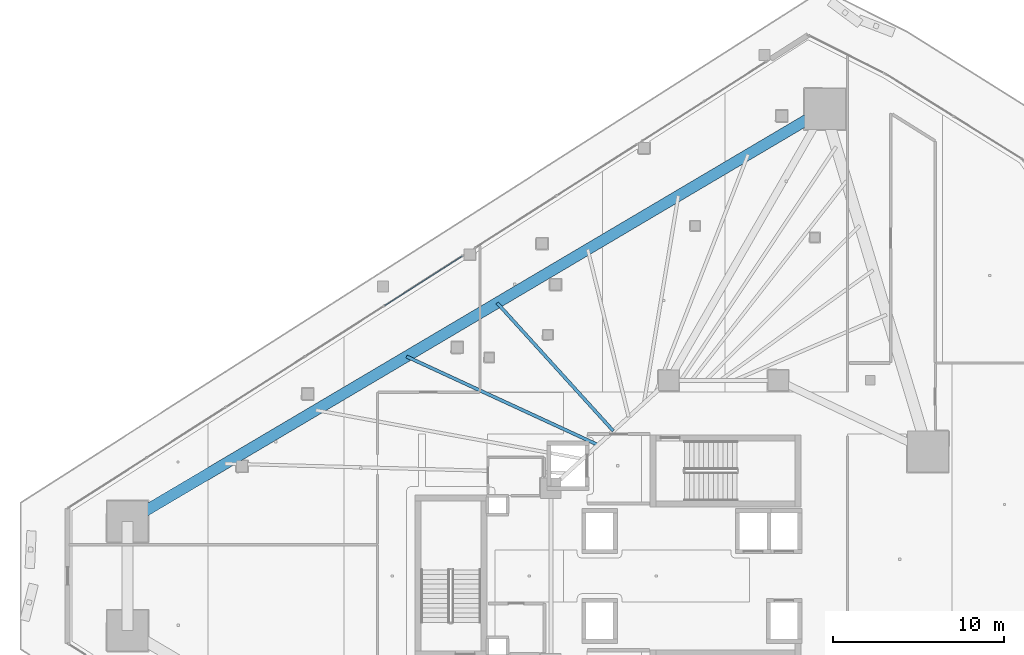
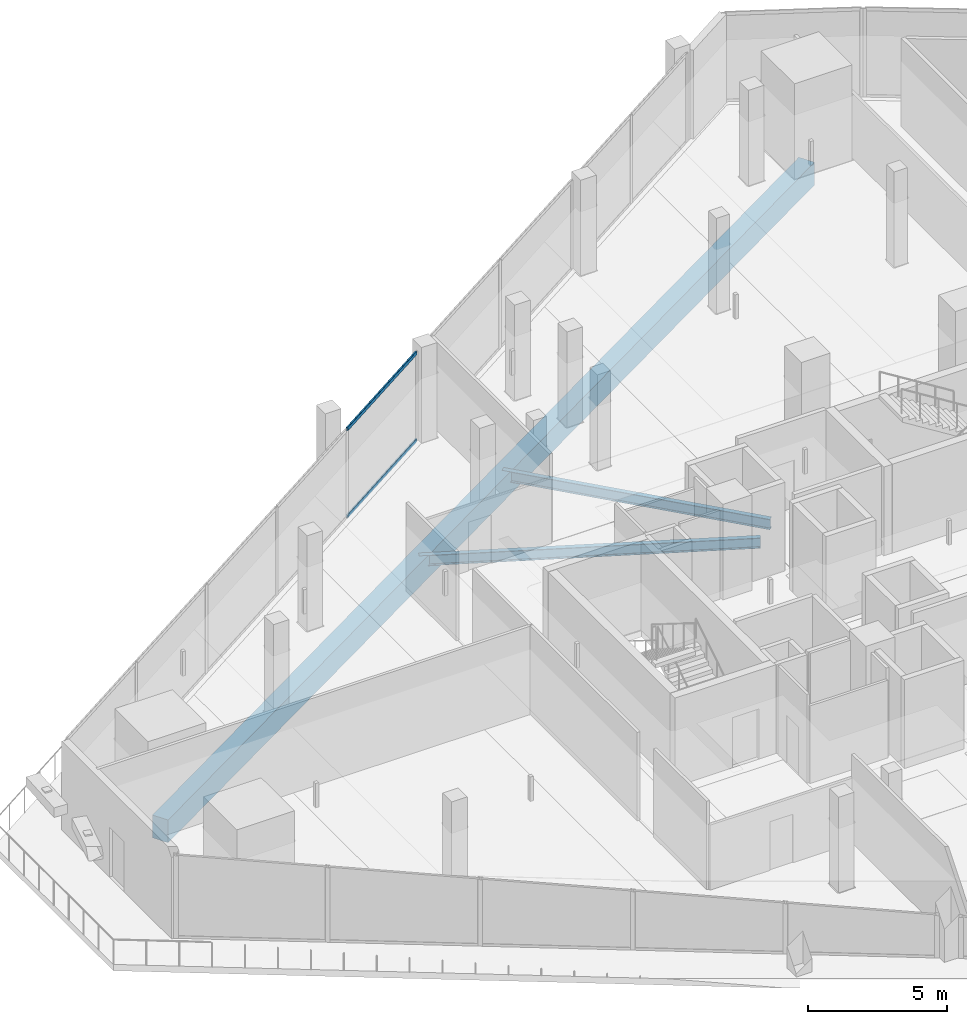
# One storey, part 17 of 45: 3 beams, 2 members, 1 element without a shape of its own.
"""IFC4 building model written with IfcOpenShell, lengths in metres."""

import ifcopenshell
import ifcopenshell.guid

model = None  # the IFC model being written
_history = None  # IfcOwnerHistory: only IFC2X3 demands one
_inside = {}  # id of a spatial element -> (the spatial element, [elements in it])
_under = {}  # id of a project, library or spatial element -> (it, [spatial elements below it])
_declared = {}  # id of a project -> (the project, [libraries it declares])
_typed = {}  # id of a type object -> (the type object, [elements of that type])
_made_of = {}  # id of a material, layer set ... -> (it, [elements and type objects made of it])


def new_model(schema):
    """Start an empty IFC model of exactly this schema.

    Asked for "IFC4X3", IfcOpenShell would pick the latest addendum, in which some entities
    have other attributes; the version numbers below select the first issue.
    IFC2X3 requires an IfcOwnerHistory on every rooted entity: one is made here for all.
    """
    global model, _history
    if schema == "IFC4X3":
        model = ifcopenshell.file(schema_version=(4, 3, 0, 0))
    else:
        model = ifcopenshell.file(schema=schema)
    _inside.clear()
    _under.clear()
    _declared.clear()
    _typed.clear()
    _made_of.clear()
    _history = None
    if model.schema == "IFC2X3":
        org = make("IfcOrganization", Name="unknown")
        user = make(
            "IfcPersonAndOrganization",
            ThePerson=make("IfcPerson", FamilyName="unknown"),
            TheOrganization=org,
        )
        app = make(
            "IfcApplication",
            ApplicationDeveloper=org,
            Version="unknown",
            ApplicationFullName="unknown",
            ApplicationIdentifier="unknown",
        )
        _history = make(
            "IfcOwnerHistory",
            OwningUser=user,
            OwningApplication=app,
            ChangeAction="ADDED",
            CreationDate=0,
        )
    return model


def make(cls, **values):
    """One entity of the class cls with the attributes given. An attribute that is None is left unset."""
    return model.create_entity(
        cls, **{name: value for name, value in values.items() if value is not None}
    )


def rooted(cls, **values):
    """An entity with a GlobalId (a new one), such as an element, a storey or a relation."""
    return make(cls, GlobalId=ifcopenshell.guid.new(), OwnerHistory=_history, **values)


def si_unit(unit_type, name, prefix=None):
    """IfcSIUnit, for example si_unit("LENGTHUNIT", "METRE", prefix="MILLI")."""
    return make("IfcSIUnit", UnitType=unit_type, Prefix=prefix, Name=name)


def assignment(units):
    """IfcUnitAssignment: the units of a project."""
    return None if units is None else make("IfcUnitAssignment", Units=units)


def point(xyz):
    """IfcCartesianPoint."""
    return None if xyz is None else make("IfcCartesianPoint", Coordinates=xyz)


def direction(xyz):
    """IfcDirection."""
    return None if xyz is None else make("IfcDirection", DirectionRatios=xyz)


def frame(location, z_axis=None, x_axis=None):
    """IfcAxis2Placement3D, a coordinate frame: its origin and axes. An axis left out is left unset."""
    return make(
        "IfcAxis2Placement3D",
        Location=point(location),
        Axis=direction(z_axis),
        RefDirection=direction(x_axis),
    )


def frame_2d(location, x_axis=None):
    """IfcAxis2Placement2D, a coordinate frame in the plane: its origin and x axis."""
    return make(
        "IfcAxis2Placement2D", Location=point(location), RefDirection=direction(x_axis)
    )


def origin():
    """The frame at (0, 0, 0) with its axes left unset."""
    return frame((0.0, 0.0, 0.0))


def origin_2d():
    """The frame at (0, 0) in the plane with its x axis left unset."""
    return frame_2d((0.0, 0.0))


def place(relative_to, where):
    """IfcLocalPlacement: puts the frame where relative to a parent placement (None: the world)."""
    return make(
        "IfcLocalPlacement", PlacementRelTo=relative_to, RelativePlacement=where
    )


def context(
    kind, dimensions, precision=None, world=None, true_north=None, identifier=None
):
    """IfcGeometricRepresentationContext, for example the 3D "Model" context."""
    return make(
        "IfcGeometricRepresentationContext",
        ContextIdentifier=identifier,
        ContextType=kind,
        CoordinateSpaceDimension=dimensions,
        Precision=precision,
        WorldCoordinateSystem=world,
        TrueNorth=true_north,
    )


def subcontext(parent, identifier, kind, view, scale=None):
    """IfcGeometricRepresentationSubContext, for example "Body" below "Model"."""
    return make(
        "IfcGeometricRepresentationSubContext",
        ContextIdentifier=identifier,
        ContextType=kind,
        ParentContext=parent,
        TargetScale=scale,
        TargetView=view,
    )


def project(units=None, contexts=None):
    """IfcProject with its units and contexts."""
    return rooted(
        "IfcProject",
        Name="project",
        RepresentationContexts=contexts,
        UnitsInContext=assignment(units),
    )


def spatial(cls, under=None, at=None, **own):
    """A site, building, storey or space (cls), placed at a placement, below another one or the project."""
    s = rooted(cls, ObjectPlacement=at, **own)
    if under is not None:
        _under.setdefault(under.id(), (under, []))[1].append(s)
    return s


def profile(cls, at=None, kind="AREA", **sizes):
    """A parametric profile (cls). Its sizes go by their IFC names, for example OverallWidth=200.0."""
    return make(cls, ProfileType=kind, Position=at, **sizes)


def rectangle(**sizes):
    """IfcRectangleProfileDef."""
    return profile("IfcRectangleProfileDef", **sizes)


def hollow_rectangle(**sizes):
    """IfcRectangleHollowProfileDef."""
    return profile("IfcRectangleHollowProfileDef", **sizes)


def i_section(**sizes):
    """IfcIShapeProfileDef."""
    return profile("IfcIShapeProfileDef", **sizes)


def extrude(swept, where, along, depth):
    """IfcExtrudedAreaSolid: the profile swept, set in the frame where, extruded along a direction by depth."""
    return make(
        "IfcExtrudedAreaSolid",
        SweptArea=swept,
        Position=where,
        ExtrudedDirection=direction(along),
        Depth=depth,
    )


def shape(context_of_items, identifier, shape_type, items):
    """IfcShapeRepresentation: the items that make up one representation, for example the "Body"."""
    return make(
        "IfcShapeRepresentation",
        ContextOfItems=context_of_items,
        RepresentationIdentifier=identifier,
        RepresentationType=shape_type,
        Items=items,
    )


def material(Name=None, Category=None):
    """IfcMaterial."""
    return make("IfcMaterial", Name=Name, Category=Category)


def layer(
    of_material, thickness, ventilated=None, Name=None, Category=None, Priority=None
):
    """IfcMaterialLayer: one layer of a wall or slab, of a material (None: an air gap)."""
    return make(
        "IfcMaterialLayer",
        Material=of_material,
        LayerThickness=thickness,
        IsVentilated=ventilated,
        Name=Name,
        Category=Category,
        Priority=Priority,
    )


def layer_set(layers, Name=None):
    """IfcMaterialLayerSet."""
    return make("IfcMaterialLayerSet", MaterialLayers=layers, LayerSetName=Name)


def material_profile(
    of_material, cross_section, Name=None, Category=None, Priority=None
):
    """IfcMaterialProfile: a cross section and its material."""
    return make(
        "IfcMaterialProfile",
        Name=Name,
        Material=of_material,
        Profile=cross_section,
        Priority=Priority,
        Category=Category,
    )


def profile_set(profiles, Name=None, composite=None):
    """IfcMaterialProfileSet."""
    return make(
        "IfcMaterialProfileSet",
        Name=Name,
        MaterialProfiles=profiles,
        CompositeProfile=composite,
    )


def made_of(thing, what):
    """Note that an element or type object is made of a material, layer set ...; save() writes the relation."""
    if what is not None:
        _made_of.setdefault(what.id(), (what, []))[1].append(thing)
    return thing


def type_object(cls, material=None, **own):
    """A type object (cls), such as IfcWallType, which elements share."""
    return made_of(rooted(cls, **own), material)


def element(
    cls,
    number,
    at=None,
    inside=None,
    cuts=None,
    type_object=None,
    material=None,
    context=None,
    identifier="Body",
    shape_type=None,
    held_by="IfcProductDefinitionShape",
    body=None,
    shapes=None,
    **own,
):
    """One element of the class cls, such as IfcWall. Its Tag is "e" and its number.

    at: its placement. inside: the storey or other place that contains it. cuts: it is an
    opening in that element (IfcRelVoidsElement). A single representation is given by context,
    identifier, shape_type and body (its items); several are given by shapes. held_by: the class
    of the entity that holds the representations. save() writes the other relations.
    """
    e = rooted(cls, Tag="e%d" % number, ObjectPlacement=at, **own)
    if body is not None:
        shapes = [shape(context, identifier, shape_type, body)]
    if shapes is not None:
        e.Representation = make(held_by, Representations=shapes)
    if inside is not None:
        _inside.setdefault(inside.id(), (inside, []))[1].append(e)
    if cuts is not None:
        rooted(
            "IfcRelVoidsElement", RelatingBuildingElement=cuts, RelatedOpeningElement=e
        )
    if type_object is not None:
        _typed.setdefault(type_object.id(), (type_object, []))[1].append(e)
    return made_of(e, material)


def aggregate(whole, parts):
    """IfcRelAggregates: a whole, such as a stair, and the parts it consists of."""
    return rooted("IfcRelAggregates", RelatingObject=whole, RelatedObjects=parts)


def save(model, path):
    """Write the relations noted so far, then the file.

    IfcRelAggregates (storeys below a building ...), IfcRelContainedInSpatialStructure (elements
    in a storey), IfcRelDefinesByType, IfcRelAssociatesMaterial and IfcRelDeclares: one each for
    every whole, place, type object, material and project.
    """
    for whole, parts in _under.values():
        aggregate(whole, parts)
    for where, things in _inside.values():
        rooted(
            "IfcRelContainedInSpatialStructure",
            RelatedElements=things,
            RelatingStructure=where,
        )
    for kind, things in _typed.values():
        rooted("IfcRelDefinesByType", RelatedObjects=things, RelatingType=kind)
    for what, things in _made_of.values():
        rooted("IfcRelAssociatesMaterial", RelatedObjects=things, RelatingMaterial=what)
    for by, libraries in _declared.values():
        rooted("IfcRelDeclares", RelatingContext=by, RelatedDefinitions=libraries)
    model.write(path)


model = new_model("IFC4")

# Units and contexts
model_context = context("Model", 3, precision=1e-05, world=origin(), true_north=direction((0.0, 1.0)))
body_context = subcontext(model_context, "Body", "Model", "MODEL_VIEW")
ifc_project = project(units=[si_unit("LENGTHUNIT", "METRE"), si_unit("AREAUNIT", "SQUARE_METRE"), si_unit("VOLUMEUNIT", "CUBIC_METRE"), si_unit("PLANEANGLEUNIT", "RADIAN"), si_unit("MASSUNIT", "GRAM", prefix="KILO")], contexts=[model_context])

# Site, building, storey
site_placement = place(None, origin())
site = spatial("IfcSite", under=ifc_project, at=site_placement, CompositionType="ELEMENT")
building_placement = place(site_placement, origin())
building = spatial("IfcBuilding", under=site, at=building_placement, Name="Qorvath Tower", CompositionType="ELEMENT")
storey_placement = place(building_placement, frame((0.0, 0.0, 95.39990234375)))
storey = spatial("IfcBuildingStorey", under=building, at=storey_placement, Name="L21", CompositionType="ELEMENT", Elevation=95.39990234375)

# Beams
ifc_material_1 = material(Name="Steel ASTM A992 Grade 50", Category="steel")
ifc_material_profile_1 = material_profile(ifc_material_1, i_section(OverallWidth=0.18994140625, OverallDepth=0.45703125, WebThickness=0.009033203125, FlangeThickness=0.014404296875, FilletRadius=0.011962890625, at=origin_2d()), Name="W18x50")
ifc_profile_set_1 = profile_set([ifc_material_profile_1], Name="Steel ASTM A992 Grade 50")
beam_type_1 = type_object("IfcBeamType", Name="BM-FJ2", PredefinedType="JOIST", material=ifc_profile_set_1)
beam_1_placement = place(storey_placement, frame((-27.739990234375, 7.669921875, -0.50830078125), z_axis=(-0.907881281747, 0.419227358665, 0.0), x_axis=(-0.419227358665, -0.907881281747, 0.0)))
element("IfcBeam", 1, at=beam_1_placement, inside=storey, type_object=beam_type_1, Name="Composite Floor Joist NW3 L21", PredefinedType="JOIST", context=body_context, shape_type="SweptSolid", body=[
    extrude(i_section(OverallWidth=0.18994140625, OverallDepth=0.45703125, WebThickness=0.009033203125, FlangeThickness=0.014404296875, FilletRadius=0.011962890625, at=origin_2d()), origin(), (0.0, 0.0, 1.0), 12.353515625),
])
beam_2_placement = place(storey_placement, frame((-26.843017578125, 8.489013671875, -0.50830078125), z_axis=(-0.672128980215, 0.740434084815, 0.0), x_axis=(-0.740434084815, -0.672128980215, 0.0)))
element("IfcBeam", 2, at=beam_2_placement, inside=storey, type_object=beam_type_1, Name="Composite Floor Joist NW4 L21", PredefinedType="JOIST", context=body_context, shape_type="SweptSolid", body=[
    extrude(i_section(OverallWidth=0.18994140625, OverallDepth=0.45703125, WebThickness=0.009033203125, FlangeThickness=0.014404296875, FilletRadius=0.011962890625, at=origin_2d()), origin(), (0.0, 0.0, 1.0), 10.1259765625),
])
ifc_material_2 = material(Name="Concrete C50/60", Category="concrete")
ifc_material_profile_2 = material_profile(ifc_material_2, rectangle(XDim=0.64990234375, YDim=1.0, at=origin_2d()), Name="RCB 1000x650")
ifc_profile_set_2 = profile_set([ifc_material_profile_2], Name="Concrete C50/60")
beam_type_2 = type_object("IfcBeamType", Name="BM-RCB1", PredefinedType="SPANDREL", material=ifc_profile_set_2)
beam_3_placement = place(storey_placement, frame((-14.46435546875, 27.330810546875, -0.77978515625), z_axis=(-0.860777360917, -0.508981664633, 0.0), x_axis=(0.508981664633, -0.860777360917, 0.0)))
element("IfcBeam", 3, at=beam_3_placement, inside=storey, type_object=beam_type_2, Name="Perimeter Loggia Frame Beam MC6-MC1 L21", PredefinedType="SPANDREL", context=body_context, shape_type="SweptSolid", body=[
    extrude(rectangle(XDim=0.64990234375, YDim=1.0, at=origin_2d()), origin(), (0.0, 0.0, 1.0), 47.420654296875),
])

# Curtain wall, members
ifc_material_3 = material(Name="Anodised aluminium and triple low-E glass", Category="aluminium")
ifc_layer = layer(ifc_material_3, 0.179931640625)
ifc_layer_set = layer_set([ifc_layer], Name="CW-SYS-2")
curtain_wall_type = type_object("IfcCurtainWallType", Name="CW-SYS-2", PredefinedType="NOTDEFINED", material=ifc_layer_set)
curtain_wall_placement = place(storey_placement, origin())
curtain_wall = element("IfcCurtainWall", 4, at=curtain_wall_placement, inside=storey, type_object=curtain_wall_type, Name="Curtain Wall CW-2 CW-T-L21-16.4", PredefinedType="NOTDEFINED")
ifc_material_4 = material(Name="Anodised aluminium 6063-T6", Category="aluminium")
ifc_material_profile_3 = material_profile(ifc_material_4, hollow_rectangle(XDim=0.06494140625, YDim=0.159912109375, WallThickness=0.00341796875, InnerFilletRadius=0.00341796875, OuterFilletRadius=0.007080078125, at=origin_2d()), Name="CWT 160x65")
ifc_profile_set_3 = profile_set([ifc_material_profile_3], Name="Anodised aluminium 6063-T6")
member_type = type_object("IfcMemberType", Name="CWT-160", PredefinedType="USERDEFINED", material=ifc_profile_set_3)
member_1_placement = place(storey_placement, frame((-35.67626953125, 18.732177734375, 0.032470703125), z_axis=(-0.842629048845, -0.538494462407, 0.0), x_axis=(0.538494462407, -0.842629048845, 0.0)))
member_1 = element("IfcMember", 5, at=member_1_placement, type_object=member_type, Name="CW-2 transom 1.1", ObjectType="TRANSOM", PredefinedType="USERDEFINED", context=body_context, shape_type="SweptSolid", body=[
    extrude(hollow_rectangle(XDim=0.06494140625, YDim=0.159912109375, WallThickness=0.00341796875, InnerFilletRadius=0.00341796875, OuterFilletRadius=0.007080078125, at=origin_2d()), origin(), (0.0, 0.0, 1.0), 5.40234375),
])
member_2_placement = place(storey_placement, frame((-35.67626953125, 18.732177734375, 3.86767578125), z_axis=(-0.842629048845, -0.538494462407, 0.0), x_axis=(0.538494462407, -0.842629048845, 0.0)))
member_2 = element("IfcMember", 6, at=member_2_placement, type_object=member_type, Name="CW-2 transom 1.2", ObjectType="TRANSOM", PredefinedType="USERDEFINED", context=body_context, shape_type="SweptSolid", body=[
    extrude(hollow_rectangle(XDim=0.06494140625, YDim=0.159912109375, WallThickness=0.00341796875, InnerFilletRadius=0.00341796875, OuterFilletRadius=0.007080078125, at=origin_2d()), origin(), (0.0, 0.0, 1.0), 5.40234375),
])
aggregate(curtain_wall, [member_1, member_2])

save(model, "model.ifc")
